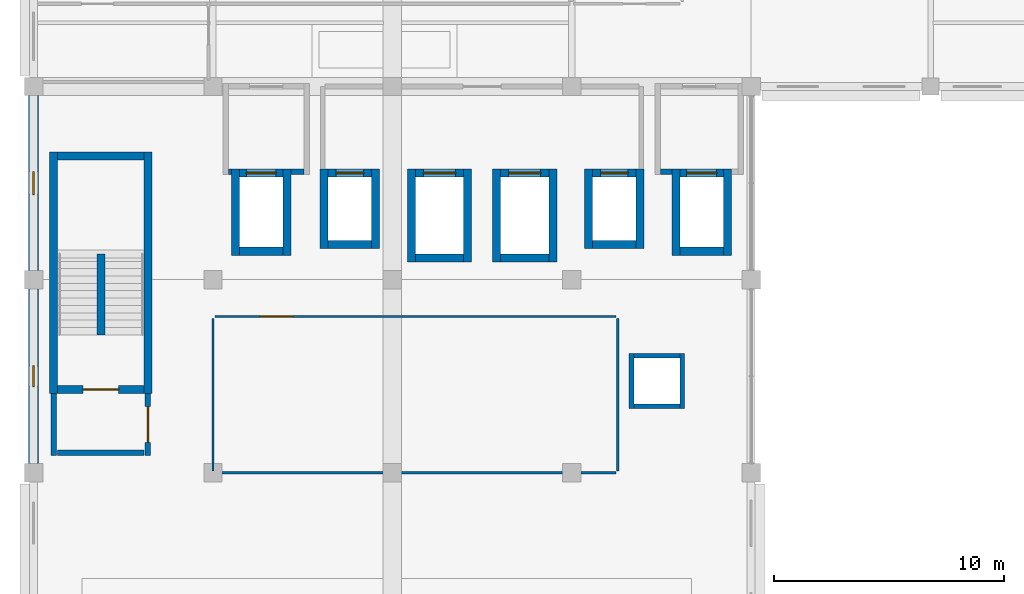
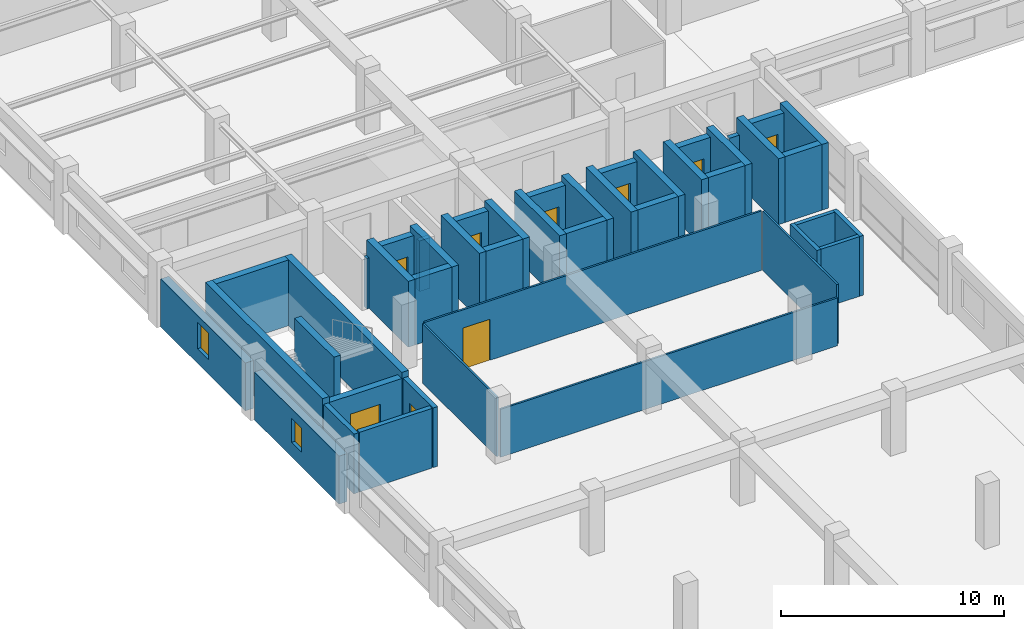
# One storey, part 36 of 50: 45 walls, 9 doors, 2 windows, 11 openings.
"""IFC4 building model written with IfcOpenShell, lengths in metres."""

from ifc_helpers import new_model, si_unit, direction, frame, frame_2d, origin, place, context, subcontext, project, spatial, rectangle, extrude, material, layer, layer_set, type_object, element, fill, save


model = new_model("IFC4")

# Units and contexts
model_context = context("Model", 3, precision=1e-05, world=origin(), true_north=direction((0.0, 1.0)))
body_context = subcontext(model_context, "Body", "Model", "MODEL_VIEW")
ifc_project = project(units=[si_unit("LENGTHUNIT", "METRE"), si_unit("AREAUNIT", "SQUARE_METRE"), si_unit("VOLUMEUNIT", "CUBIC_METRE"), si_unit("PLANEANGLEUNIT", "RADIAN"), si_unit("MASSUNIT", "GRAM", prefix="KILO"), si_unit("THERMODYNAMICTEMPERATUREUNIT", "KELVIN"), si_unit("POWERUNIT", "WATT")], contexts=[model_context])

# Site, building, storey
site_placement = place(None, origin())
site = spatial("IfcSite", under=ifc_project, at=site_placement, CompositionType="ELEMENT")
building_placement = place(site_placement, origin())
building = spatial("IfcBuilding", under=site, at=building_placement, Name="Srebrne Nadtorze General Hospital", CompositionType="ELEMENT")
storey_placement = place(building_placement, frame((0.0, 0.0, 14.39990234375)))
storey = spatial("IfcBuildingStorey", under=building, at=storey_placement, Name="L03", CompositionType="ELEMENT", Elevation=14.39990234375)

# Wall, opening, window
ifc_material_1 = material(Name="Concrete C40/50", Category="concrete")
ifc_layer_1 = layer(ifc_material_1, 0.419921875)
ifc_layer_set_1 = layer_set([ifc_layer_1], Name="Concrete C40/50")
wall_type_1 = type_object("IfcWallType", Name="Acoustic buffer wall 420", PredefinedType="SOLIDWALL", material=ifc_layer_set_1)
wall_1_placement = place(storey_placement, frame((23.39990234375, 34.0, 0.0), z_axis=(0.0, 0.0, 1.0), x_axis=(0.0, 1.0, 0.0)))
wall_1 = element("IfcWall", 1, at=wall_1_placement, inside=storey, type_object=wall_type_1, Name="Exterior wall WL-ENV-L03-0318", PredefinedType="SOLIDWALL", context=body_context, shape_type="SweptSolid", body=[
    extrude(rectangle(XDim=7.60009765625, YDim=0.419921875, at=frame_2d((3.800048828125, 0.0))), origin(), (0.0, 0.0, 1.0), 2.6201171875),
])
opening_1_placement = place(wall_1_placement, frame((3.35009765625, 0.0, 0.800048828125)))
opening_1 = element("IfcOpeningElement", 2, at=opening_1_placement, cuts=wall_1, Name="Opening WN-L03-0455", PredefinedType="OPENING", context=body_context, shape_type="SweptSolid", body=[
    extrude(rectangle(XDim=0.89990234375, YDim=1.300048828125, at=frame_2d((0.449951171875, 0.64990234375))), frame((0.0, 0.221923828125, 0.0), z_axis=(0.0, -1.0, 0.0), x_axis=(1.0, 0.0, 0.0)), (0.0, 0.0, 1.0), 0.44384765625),
])
ifc_material_2 = material(Name="Triple Low-E Glazing", Category="glass")
window_type_1 = type_object("IfcWindowType", Name="Punched clinical window 900x1300", PartitioningType="SINGLE_PANEL", PredefinedType="WINDOW", material=ifc_material_2)
window_1_placement = place(opening_1_placement, origin())
window_1 = element("IfcWindow", 3, at=window_1_placement, inside=storey, type_object=window_type_1, Name="Clinical window WN-L03-0455", OverallHeight=1.300048828125, OverallWidth=0.89990234375, PartitioningType="SINGLE_PANEL", PredefinedType="WINDOW", context=body_context, shape_type="SweptSolid", body=[
    extrude(rectangle(XDim=0.89990234375, YDim=1.300048828125, at=frame_2d((0.449951171875, 0.64990234375))), frame((0.0, 0.030029296875, 0.0), z_axis=(0.0, -1.0, 0.0), x_axis=(1.0, 0.0, 0.0)), (0.0, 0.0, 1.0), 0.06005859375),
])
fill(opening_1, window_1)

wall_2_placement = place(storey_placement, frame((23.39990234375, 42.39990234375, 0.0), z_axis=(0.0, 0.0, 1.0), x_axis=(0.0, 1.0, 0.0)))
wall_2 = element("IfcWall", 4, at=wall_2_placement, inside=storey, type_object=wall_type_1, Name="Exterior wall WL-ENV-L03-0319", PredefinedType="SOLIDWALL", context=body_context, shape_type="SweptSolid", body=[
    extrude(rectangle(XDim=7.60009765625, YDim=0.419921875, at=frame_2d((3.800048828125, 0.0))), origin(), (0.0, 0.0, 1.0), 2.6201171875),
])
opening_2_placement = place(wall_2_placement, frame((3.300048828125, 0.0, 0.800048828125)))
opening_2 = element("IfcOpeningElement", 5, at=opening_2_placement, cuts=wall_2, Name="Opening WN-L03-0456", PredefinedType="OPENING", context=body_context, shape_type="SweptSolid", body=[
    extrude(rectangle(XDim=1.0, YDim=1.449951171875, at=frame_2d((0.5, 0.72509765625))), frame((0.0, 0.221923828125, 0.0), z_axis=(0.0, -1.0, 0.0), x_axis=(1.0, 0.0, 0.0)), (0.0, 0.0, 1.0), 0.44384765625),
])
ifc_material_3 = material(Name="Triple Low-E Glazing", Category="glass")
window_type_2 = type_object("IfcWindowType", Name="Punched clinical window 1000x1450", PartitioningType="SINGLE_PANEL", PredefinedType="WINDOW", material=ifc_material_3)
window_2_placement = place(opening_2_placement, origin())
window_2 = element("IfcWindow", 6, at=window_2_placement, inside=storey, type_object=window_type_2, Name="Clinical window WN-L03-0456", OverallHeight=1.449951171875, OverallWidth=1.0, PartitioningType="SINGLE_PANEL", PredefinedType="WINDOW", context=body_context, shape_type="SweptSolid", body=[
    extrude(rectangle(XDim=1.0, YDim=1.449951171875, at=frame_2d((0.5, 0.72509765625))), frame((0.0, 0.030029296875, 0.0), z_axis=(0.0, -1.0, 0.0), x_axis=(1.0, 0.0, 0.0)), (0.0, 0.0, 1.0), 0.06005859375),
])
fill(opening_2, window_2)

# Walls
ifc_material_4 = material(Name="Gypsum Healthcare Partition")
ifc_layer_2 = layer(ifc_material_4, 0.199951171875)
ifc_layer_set_2 = layer_set([ifc_layer_2], Name="Gypsum Healthcare Partition")
wall_type_2 = type_object("IfcWallType", Name="Compartment wall 200", PredefinedType="STANDARD", material=ifc_layer_set_2)
for number, where, z_axis, x_axis, name in (
    (7, (49.39990234375, 36.39990234375, 0.0), (0.0, 0.0, 1.0), (0.0, 1.0, 0.0), "MEP riser wall WL-INT-L03-1043"),
    (8, (51.60009765625, 36.39990234375, 0.0), (0.0, 0.0, 1.0), (0.0, 1.0, 0.0), "MEP riser wall WL-INT-L03-1044"),
):
    element("IfcWall", number, at=place(storey_placement, frame(where, z_axis=z_axis, x_axis=x_axis)), inside=storey, type_object=wall_type_2, Name=name, PredefinedType="STANDARD", context=body_context, shape_type="SweptSolid", body=[
        extrude(rectangle(XDim=2.400146484375, YDim=0.199951171875, at=frame_2d((1.2001953125, 0.0))), origin(), (0.0, 0.0, 1.0), 3.27001953125),
    ])
for number, where, z_axis, x_axis, name in (
    (9, (49.5, 36.5, 0.0), (0.0, 0.0, 1.0), (1.0, 0.0, 0.0), "MEP riser wall WL-INT-L03-1045"),
    (10, (49.5, 38.699951171875, 0.0), (0.0, 0.0, 1.0), (1.0, 0.0, 0.0), "MEP riser wall WL-INT-L03-1046"),
):
    element("IfcWall", number, at=place(storey_placement, frame(where, z_axis=z_axis, x_axis=x_axis)), inside=storey, type_object=wall_type_2, Name=name, PredefinedType="STANDARD", context=body_context, shape_type="SweptSolid", body=[
        extrude(rectangle(XDim=2.0, YDim=0.199951171875, at=frame_2d((1.0, 0.0))), origin(), (0.0, 0.0, 1.0), 3.27001953125),
    ])
ifc_material_5 = material(Name="Gypsum Healthcare Partition")
ifc_layer_3 = layer(ifc_material_5, 0.239990234375)
ifc_layer_set_3 = layer_set([ifc_layer_3], Name="Gypsum Healthcare Partition")
wall_type_3 = type_object("IfcWallType", Name="Corridor fire wall 240", PredefinedType="STANDARD", material=ifc_layer_set_3)
wall_3_placement = place(storey_placement, frame((24.27490234375, 34.35498046875, 0.0), z_axis=(0.0, 0.0, 1.0), x_axis=(0.0, 1.0, 0.0)))
element("IfcWall", 11, at=wall_3_placement, inside=storey, type_object=wall_type_3, Name="Fire lobby wall ST-01 WL-INT-L03-0245", PredefinedType="STANDARD", context=body_context, shape_type="SweptSolid", body=[
    extrude(rectangle(XDim=2.695068359375, YDim=0.239990234375, at=frame_2d((1.34765625, 0.0))), origin(), (0.0, 0.0, 1.0), 3.27001953125),
])

# Wall, opening, door
wall_4_placement = place(storey_placement, frame((28.375, 34.35498046875, 0.0), z_axis=(0.0, 0.0, 1.0), x_axis=(0.0, 1.0, 0.0)))
wall_4 = element("IfcWall", 12, at=wall_4_placement, inside=storey, type_object=wall_type_3, Name="Fire lobby wall ST-01 WL-INT-L03-0246", PredefinedType="STANDARD", context=body_context, shape_type="SweptSolid", body=[
    extrude(rectangle(XDim=2.695068359375, YDim=0.239990234375, at=frame_2d((1.34765625, 0.0))), origin(), (0.0, 0.0, 1.0), 3.27001953125),
])
opening_3_placement = place(wall_4_placement, frame((0.572509765625, 0.0, 0.0)))
opening_3 = element("IfcOpeningElement", 13, at=opening_3_placement, cuts=wall_4, Name="Opening D-L03-0062", PredefinedType="OPENING", context=body_context, shape_type="SweptSolid", body=[
    extrude(rectangle(XDim=1.550048828125, YDim=2.25, at=frame_2d((0.77490234375, 1.125))), frame((0.0, 0.1318359375, 0.0), z_axis=(0.0, -1.0, 0.0), x_axis=(1.0, 0.0, 0.0)), (0.0, 0.0, 1.0), 0.263916015625),
])
ifc_material_6 = material(Name="Anodised Aluminium", Category="aluminium")
door_type_1 = type_object("IfcDoorType", Name="Double leaf door 1550x2250", OperationType="DOUBLE_DOOR_SINGLE_SWING", PredefinedType="DOOR", material=ifc_material_6)
door_1_placement = place(opening_3_placement, origin())
door_1 = element("IfcDoor", 14, at=door_1_placement, inside=storey, type_object=door_type_1, Name="Fire lobby door ST-01 D-L03-0062", OperationType="DOUBLE_DOOR_SINGLE_SWING", OverallHeight=2.25, OverallWidth=1.550048828125, PredefinedType="DOOR", context=body_context, shape_type="SweptSolid", body=[
    extrude(rectangle(XDim=1.550048828125, YDim=2.25, at=frame_2d((0.77490234375, 1.125))), frame((0.0, 0.02490234375, 0.0), z_axis=(0.0, -1.0, 0.0), x_axis=(1.0, 0.0, 0.0)), (0.0, 0.0, 1.0), 0.050048828125),
])
fill(opening_3, door_1)

# Walls
wall_5_placement = place(storey_placement, frame((24.449951171875, 34.47509765625, 0.0), z_axis=(0.0, 0.0, 1.0), x_axis=(1.0, 0.0, 0.0)))
element("IfcWall", 15, at=wall_5_placement, inside=storey, type_object=wall_type_3, Name="Fire lobby entry wall ST-01 WL-INT-L03-0247", PredefinedType="STANDARD", context=body_context, shape_type="SweptSolid", body=[
    extrude(rectangle(XDim=3.75, YDim=0.239990234375, at=frame_2d((1.875, 0.0))), origin(), (0.0, 0.0, 1.0), 3.27001953125),
])
wall_6_placement = place(storey_placement, frame((31.8798828125, 46.68994140625, 0.0), z_axis=(0.0, 0.0, 1.0), x_axis=(1.0, 0.0, 0.0)))
element("IfcWall", 16, at=wall_6_placement, inside=storey, type_object=wall_type_3, Name="FF lift lobby return wall WL-INT-L03-1024", PredefinedType="STANDARD", context=body_context, shape_type="SweptSolid", body=[
    extrude(rectangle(XDim=0.1201171875, YDim=0.239990234375, at=frame_2d((0.06005859375, 0.0))), origin(), (0.0, 0.0, 1.0), 2.77001953125),
])
wall_7_placement = place(storey_placement, frame((34.60009765625, 46.68994140625, 0.0), z_axis=(0.0, 0.0, 1.0), x_axis=(1.0, 0.0, 0.0)))
element("IfcWall", 17, at=wall_7_placement, inside=storey, type_object=wall_type_3, Name="FF lift lobby return wall WL-INT-L03-1025", PredefinedType="STANDARD", context=body_context, shape_type="SweptSolid", body=[
    extrude(rectangle(XDim=0.5498046875, YDim=0.239990234375, at=frame_2d((0.27490234375, 0.0))), origin(), (0.0, 0.0, 1.0), 2.77001953125),
])
wall_8_placement = place(storey_placement, frame((50.64990234375, 46.68994140625, 0.0), z_axis=(0.0, 0.0, 1.0), x_axis=(1.0, 0.0, 0.0)))
element("IfcWall", 18, at=wall_8_placement, inside=storey, type_object=wall_type_3, Name="FF lift lobby return wall WL-INT-L03-1029", PredefinedType="STANDARD", context=body_context, shape_type="SweptSolid", body=[
    extrude(rectangle(XDim=0.5, YDim=0.239990234375, at=frame_2d((0.25, 0.0))), origin(), (0.0, 0.0, 1.0), 2.77001953125),
])

# Wall, opening, door
ifc_material_7 = material(Name="Gypsum Healthcare Partition")
ifc_layer_4 = layer(ifc_material_7, 0.10009765625)
ifc_layer_set_4 = layer_set([ifc_layer_4], Name="Gypsum Healthcare Partition")
wall_type_4 = type_object("IfcWallType", Name="Shaft lining wall 100", PredefinedType="PARTITIONING", material=ifc_layer_set_4)
wall_9_placement = place(storey_placement, frame((31.284912109375, 40.39990234375, 0.0), z_axis=(0.0, 0.0, 1.0), x_axis=(1.0, 0.0, 0.0)))
wall_9 = element("IfcWall", 19, at=wall_9_placement, inside=storey, type_object=wall_type_4, Name="Clinical Simulation Training Room wall WL-INT-L03-1646", PredefinedType="PARTITIONING", context=body_context, shape_type="SweptSolid", body=[
    extrude(rectangle(XDim=17.43017578125, YDim=0.10009765625, at=frame_2d((8.715087890625, 0.0))), origin(), (0.0, 0.0, 1.0), 3.25),
])
opening_4_placement = place(wall_9_placement, frame((1.9755859375, 0.0, 0.0)))
opening_4 = element("IfcOpeningElement", 20, at=opening_4_placement, cuts=wall_9, Name="Opening D-L03-0278", PredefinedType="OPENING", context=body_context, shape_type="SweptSolid", body=[
    extrude(rectangle(XDim=1.39990234375, YDim=2.25, at=frame_2d((0.699951171875, 1.125))), frame((0.0, 0.06201171875, 0.0), z_axis=(0.0, -1.0, 0.0), x_axis=(1.0, 0.0, 0.0)), (0.0, 0.0, 1.0), 0.1240234375),
])
ifc_material_8 = material(Name="Anodised Aluminium", Category="aluminium")
door_type_2 = type_object("IfcDoorType", Name="Single leaf door 1400x2250", OperationType="NOTDEFINED", PredefinedType="DOOR", material=ifc_material_8)
door_2_placement = place(opening_4_placement, frame((1.39990234375, 0.0, 0.0), z_axis=(0.0, 0.0, 1.0), x_axis=(-1.0, 0.0, 0.0)))
door_2 = element("IfcDoor", 21, at=door_2_placement, inside=storey, type_object=door_type_2, Name="Clinical Simulation Training Room door D-L03-0278", OperationType="SINGLE_SWING_LEFT", OverallHeight=2.25, OverallWidth=1.39990234375, PredefinedType="DOOR", context=body_context, shape_type="SweptSolid", body=[
    extrude(rectangle(XDim=1.39990234375, YDim=2.25, at=frame_2d((0.699951171875, 1.125))), frame((0.0, 0.02490234375, 0.0), z_axis=(0.0, -1.0, 0.0), x_axis=(1.0, 0.0, 0.0)), (0.0, 0.0, 1.0), 0.050048828125),
])
fill(opening_4, door_2)

# Walls
wall_10_placement = place(storey_placement, frame((31.284912109375, 33.60009765625, 0.0), z_axis=(0.0, 0.0, 1.0), x_axis=(1.0, 0.0, 0.0)))
element("IfcWall", 22, at=wall_10_placement, inside=storey, type_object=wall_type_4, Name="Clinical Simulation Training Room wall WL-INT-L03-1647", PredefinedType="PARTITIONING", context=body_context, shape_type="SweptSolid", body=[
    extrude(rectangle(XDim=17.43017578125, YDim=0.10009765625, at=frame_2d((8.715087890625, 0.0))), origin(), (0.0, 0.0, 1.0), 2.6201171875),
])
for number, where, z_axis, x_axis, name in (
    (23, (31.199951171875, 33.68505859375, 0.0), (0.0, 0.0, 1.0), (0.0, 1.0, 0.0), "Clinical Simulation Training Room wall WL-INT-L03-1648"),
    (24, (48.800048828125, 33.68505859375, 0.0), (0.0, 0.0, 1.0), (0.0, 1.0, 0.0), "Clinical Simulation Training Room wall WL-INT-L03-1649"),
):
    element("IfcWall", number, at=place(storey_placement, frame(where, z_axis=z_axis, x_axis=x_axis)), inside=storey, type_object=wall_type_4, Name=name, PredefinedType="PARTITIONING", context=body_context, shape_type="SweptSolid", body=[
        extrude(rectangle(XDim=6.6298828125, YDim=0.10009765625, at=frame_2d((3.31494140625, 0.0))), origin(), (0.0, 0.0, 1.0), 3.25),
    ])
ifc_material_9 = material(Name="Concrete C40/50", Category="concrete")
ifc_layer_5 = layer(ifc_material_9, 0.35009765625)
ifc_layer_set_5 = layer_set([ifc_layer_5], Name="Concrete C40/50")
wall_type_5 = type_object("IfcWallType", Name="Shear core wall 350", PredefinedType="SHEAR", material=ifc_layer_set_5)
for number, where, z_axis, x_axis, name in (
    (25, (24.27490234375, 37.050048828125, 0.0), (0.0, 0.0, 1.0), (0.0, 1.0, 0.0), "Stair core wall ST-01 WL-INT-L03-0241"),
    (26, (28.375, 37.050048828125, 0.0), (0.0, 0.0, 1.0), (0.0, 1.0, 0.0), "Stair core wall ST-01 WL-INT-L03-0242"),
):
    element("IfcWall", number, at=place(storey_placement, frame(where, z_axis=z_axis, x_axis=x_axis)), inside=storey, type_object=wall_type_5, Name=name, PredefinedType="SHEAR", context=body_context, shape_type="SweptSolid", body=[
        extrude(rectangle(XDim=10.5, YDim=0.35009765625, at=frame_2d((5.25, 0.0))), origin(), (0.0, 0.0, 1.0), 3.60009765625),
    ])
wall_11_placement = place(storey_placement, frame((24.449951171875, 47.375, 0.0), z_axis=(0.0, 0.0, 1.0), x_axis=(1.0, 0.0, 0.0)))
element("IfcWall", 27, at=wall_11_placement, inside=storey, type_object=wall_type_5, Name="Stair core wall ST-01 WL-INT-L03-0243", PredefinedType="SHEAR", context=body_context, shape_type="SweptSolid", body=[
    extrude(rectangle(XDim=3.75, YDim=0.35009765625, at=frame_2d((1.875, 0.0))), origin(), (0.0, 0.0, 1.0), 3.60009765625),
])

# Wall, opening, door
wall_12_placement = place(storey_placement, frame((24.449951171875, 37.22509765625, 0.0), z_axis=(0.0, 0.0, 1.0), x_axis=(1.0, 0.0, 0.0)))
wall_12 = element("IfcWall", 28, at=wall_12_placement, inside=storey, type_object=wall_type_5, Name="Stairwell fire wall ST-01 WL-INT-L03-0244", PredefinedType="SHEAR", context=body_context, shape_type="SweptSolid", body=[
    extrude(rectangle(XDim=3.75, YDim=0.35009765625, at=frame_2d((1.875, 0.0))), origin(), (0.0, 0.0, 1.0), 3.27001953125),
])
opening_5_placement = place(wall_12_placement, frame((1.10009765625, 0.0, 0.0)))
opening_5 = element("IfcOpeningElement", 29, at=opening_5_placement, cuts=wall_12, Name="Opening D-L03-0061", PredefinedType="OPENING", context=body_context, shape_type="SweptSolid", body=[
    extrude(rectangle(XDim=1.550048828125, YDim=2.25, at=frame_2d((0.77490234375, 1.125))), frame((0.0, 0.18701171875, 0.0), z_axis=(0.0, -1.0, 0.0), x_axis=(1.0, 0.0, 0.0)), (0.0, 0.0, 1.0), 0.3740234375),
])
door_3_placement = place(opening_5_placement, origin())
door_3 = element("IfcDoor", 30, at=door_3_placement, inside=storey, type_object=door_type_1, Name="Protected stair door ST-01 D-L03-0061", OperationType="DOUBLE_DOOR_SINGLE_SWING", OverallHeight=2.25, OverallWidth=1.550048828125, PredefinedType="DOOR", context=body_context, shape_type="SweptSolid", body=[
    extrude(rectangle(XDim=1.550048828125, YDim=2.25, at=frame_2d((0.77490234375, 1.125))), frame((0.0, 0.02490234375, 0.0), z_axis=(0.0, -1.0, 0.0), x_axis=(1.0, 0.0, 0.0)), (0.0, 0.0, 1.0), 0.050048828125),
])
fill(opening_5, door_3)

# Walls
wall_13_placement = place(storey_placement, frame((26.324951171875, 39.60009765625, 0.0), z_axis=(0.0, 0.0, 1.0), x_axis=(0.0, 1.0, 0.0)))
element("IfcWall", 31, at=wall_13_placement, inside=storey, type_object=wall_type_5, Name="Stair spine wall ST-01 WL-INT-L03-0248", PredefinedType="SHEAR", context=body_context, shape_type="SweptSolid", body=[
    extrude(rectangle(XDim=3.52001953125, YDim=0.35009765625, at=frame_2d((1.760009765625, 0.0))), origin(), (0.0, 0.0, 1.0), 3.60009765625),
])
for number, where, z_axis, x_axis, name in (
    (32, (32.175048828125, 43.06005859375, 0.0), (0.0, 0.0, 1.0), (0.0, 1.0, 0.0), "Lift shaft wall FL-01 WL-INT-L03-0482"),
    (33, (34.425048828125, 43.06005859375, 0.0), (0.0, 0.0, 1.0), (0.0, 1.0, 0.0), "Lift shaft wall FL-01 WL-INT-L03-0483"),
):
    element("IfcWall", number, at=place(storey_placement, frame(where, z_axis=z_axis, x_axis=x_axis)), inside=storey, type_object=wall_type_5, Name=name, PredefinedType="SHEAR", context=body_context, shape_type="SweptSolid", body=[
        extrude(rectangle(XDim=3.75, YDim=0.35009765625, at=frame_2d((1.875, 0.0))), origin(), (0.0, 0.0, 1.0), 3.60009765625),
    ])
wall_14_placement = place(storey_placement, frame((32.35009765625, 43.235107421875, 0.0), z_axis=(0.0, 0.0, 1.0), x_axis=(1.0, 0.0, 0.0)))
element("IfcWall", 34, at=wall_14_placement, inside=storey, type_object=wall_type_5, Name="Lift shaft back wall FL-01 WL-INT-L03-0484", PredefinedType="SHEAR", context=body_context, shape_type="SweptSolid", body=[
    extrude(rectangle(XDim=1.89990234375, YDim=0.35009765625, at=frame_2d((0.949951171875, 0.0))), origin(), (0.0, 0.0, 1.0), 3.60009765625),
])

# Wall, opening, door
wall_15_placement = place(storey_placement, frame((32.35009765625, 46.635009765625, 0.0), z_axis=(0.0, 0.0, 1.0), x_axis=(1.0, 0.0, 0.0)))
wall_15 = element("IfcWall", 35, at=wall_15_placement, inside=storey, type_object=wall_type_5, Name="Lift shaft front wall FL-01 WL-INT-L03-0485", PredefinedType="SHEAR", context=body_context, shape_type="SweptSolid", body=[
    extrude(rectangle(XDim=1.89990234375, YDim=0.35009765625, at=frame_2d((0.949951171875, 0.0))), origin(), (0.0, 0.0, 1.0), 3.27001953125),
])
opening_6_placement = place(wall_15_placement, frame((0.300048828125, 0.0, 0.0)))
opening_6 = element("IfcOpeningElement", 36, at=opening_6_placement, cuts=wall_15, Name="Opening LD-L03-005", PredefinedType="OPENING", context=body_context, shape_type="SweptSolid", body=[
    extrude(rectangle(XDim=1.300048828125, YDim=2.199951171875, at=frame_2d((0.64990234375, 1.10009765625))), frame((0.0, 0.18701171875, 0.0), z_axis=(0.0, -1.0, 0.0), x_axis=(1.0, 0.0, 0.0)), (0.0, 0.0, 1.0), 0.3740234375),
])
ifc_material_10 = material(Name="Anodised Aluminium", Category="aluminium")
door_type_3 = type_object("IfcDoorType", Name="Sliding lift door 1300x2200", OperationType="SLIDING_TO_LEFT", PredefinedType="DOOR", material=ifc_material_10)
door_4_placement = place(opening_6_placement, origin())
door_4 = element("IfcDoor", 37, at=door_4_placement, inside=storey, type_object=door_type_3, Name="Lift Landing Door LD-L03-005", OperationType="SLIDING_TO_LEFT", OverallHeight=2.199951171875, OverallWidth=1.300048828125, PredefinedType="DOOR", context=body_context, shape_type="SweptSolid", body=[
    extrude(rectangle(XDim=1.300048828125, YDim=2.199951171875, at=frame_2d((0.64990234375, 1.10009765625))), frame((0.0, 0.02490234375, 0.0), z_axis=(0.0, -1.0, 0.0), x_axis=(1.0, 0.0, 0.0)), (0.0, 0.0, 1.0), 0.050048828125),
])
fill(opening_6, door_4)

# Walls
for number, where, z_axis, x_axis, name in (
    (38, (36.02490234375, 43.360107421875, 0.0), (0.0, 0.0, 1.0), (0.0, 1.0, 0.0), "Lift shaft wall LP-01 WL-INT-L03-0522"),
    (39, (38.27490234375, 43.360107421875, 0.0), (0.0, 0.0, 1.0), (0.0, 1.0, 0.0), "Lift shaft wall LP-01 WL-INT-L03-0523"),
):
    element("IfcWall", number, at=place(storey_placement, frame(where, z_axis=z_axis, x_axis=x_axis)), inside=storey, type_object=wall_type_5, Name=name, PredefinedType="SHEAR", context=body_context, shape_type="SweptSolid", body=[
        extrude(rectangle(XDim=3.449951171875, YDim=0.35009765625, at=frame_2d((1.72509765625, 0.0))), origin(), (0.0, 0.0, 1.0), 3.60009765625),
    ])
wall_16_placement = place(storey_placement, frame((36.199951171875, 43.534912109375, 0.0), z_axis=(0.0, 0.0, 1.0), x_axis=(1.0, 0.0, 0.0)))
element("IfcWall", 40, at=wall_16_placement, inside=storey, type_object=wall_type_5, Name="Lift shaft back wall LP-01 WL-INT-L03-0524", PredefinedType="SHEAR", context=body_context, shape_type="SweptSolid", body=[
    extrude(rectangle(XDim=1.900146484375, YDim=0.35009765625, at=frame_2d((0.9501953125, 0.0))), origin(), (0.0, 0.0, 1.0), 3.60009765625),
])

# Wall, opening, door
wall_17_placement = place(storey_placement, frame((36.199951171875, 46.635009765625, 0.0), z_axis=(0.0, 0.0, 1.0), x_axis=(1.0, 0.0, 0.0)))
wall_17 = element("IfcWall", 41, at=wall_17_placement, inside=storey, type_object=wall_type_5, Name="Lift shaft front wall LP-01 WL-INT-L03-0525", PredefinedType="SHEAR", context=body_context, shape_type="SweptSolid", body=[
    extrude(rectangle(XDim=1.900146484375, YDim=0.35009765625, at=frame_2d((0.9501953125, 0.0))), origin(), (0.0, 0.0, 1.0), 3.27001953125),
])
opening_7_placement = place(wall_17_placement, frame((0.35009765625, 0.0, 0.0)))
opening_7 = element("IfcOpeningElement", 42, at=opening_7_placement, cuts=wall_17, Name="Opening LD-L03-015", PredefinedType="OPENING", context=body_context, shape_type="SweptSolid", body=[
    extrude(rectangle(XDim=1.199951171875, YDim=2.199951171875, at=frame_2d((0.60009765625, 1.10009765625))), frame((0.0, 0.18701171875, 0.0), z_axis=(0.0, -1.0, 0.0), x_axis=(1.0, 0.0, 0.0)), (0.0, 0.0, 1.0), 0.3740234375),
])
ifc_material_11 = material(Name="Anodised Aluminium", Category="aluminium")
door_type_4 = type_object("IfcDoorType", Name="Sliding lift door 1200x2200", OperationType="SLIDING_TO_LEFT", PredefinedType="DOOR", material=ifc_material_11)
door_5_placement = place(opening_7_placement, origin())
door_5 = element("IfcDoor", 43, at=door_5_placement, inside=storey, type_object=door_type_4, Name="Lift Landing Door LD-L03-015", OperationType="SLIDING_TO_LEFT", OverallHeight=2.199951171875, OverallWidth=1.199951171875, PredefinedType="DOOR", context=body_context, shape_type="SweptSolid", body=[
    extrude(rectangle(XDim=1.199951171875, YDim=2.199951171875, at=frame_2d((0.60009765625, 1.10009765625))), frame((0.0, 0.02490234375, 0.0), z_axis=(0.0, -1.0, 0.0), x_axis=(1.0, 0.0, 0.0)), (0.0, 0.0, 1.0), 0.050048828125),
])
fill(opening_7, door_5)

# Walls
for number, where, z_axis, x_axis, name in (
    (44, (39.824951171875, 42.760009765625, 0.0), (0.0, 0.0, 1.0), (0.0, 1.0, 0.0), "Lift shaft wall LS-01 WL-INT-L03-0558"),
    (45, (42.27490234375, 42.760009765625, 0.0), (0.0, 0.0, 1.0), (0.0, 1.0, 0.0), "Lift shaft wall LS-01 WL-INT-L03-0559"),
):
    element("IfcWall", number, at=place(storey_placement, frame(where, z_axis=z_axis, x_axis=x_axis)), inside=storey, type_object=wall_type_5, Name=name, PredefinedType="SHEAR", context=body_context, shape_type="SweptSolid", body=[
        extrude(rectangle(XDim=4.050048828125, YDim=0.35009765625, at=frame_2d((2.02490234375, 0.0))), origin(), (0.0, 0.0, 1.0), 3.60009765625),
    ])
wall_18_placement = place(storey_placement, frame((40.0, 42.93505859375, 0.0), z_axis=(0.0, 0.0, 1.0), x_axis=(1.0, 0.0, 0.0)))
element("IfcWall", 46, at=wall_18_placement, inside=storey, type_object=wall_type_5, Name="Lift shaft back wall LS-01 WL-INT-L03-0560", PredefinedType="SHEAR", context=body_context, shape_type="SweptSolid", body=[
    extrude(rectangle(XDim=2.10009765625, YDim=0.35009765625, at=frame_2d((1.050048828125, 0.0))), origin(), (0.0, 0.0, 1.0), 3.60009765625),
])

# Wall, opening, door
wall_19_placement = place(storey_placement, frame((40.0, 46.635009765625, 0.0), z_axis=(0.0, 0.0, 1.0), x_axis=(1.0, 0.0, 0.0)))
wall_19 = element("IfcWall", 47, at=wall_19_placement, inside=storey, type_object=wall_type_5, Name="Lift shaft front wall LS-01 WL-INT-L03-0561", PredefinedType="SHEAR", context=body_context, shape_type="SweptSolid", body=[
    extrude(rectangle(XDim=2.10009765625, YDim=0.35009765625, at=frame_2d((1.050048828125, 0.0))), origin(), (0.0, 0.0, 1.0), 3.27001953125),
])
opening_8_placement = place(wall_19_placement, frame((0.35009765625, 0.0, 0.0)))
opening_8 = element("IfcOpeningElement", 48, at=opening_8_placement, cuts=wall_19, Name="Opening LD-L03-024", PredefinedType="OPENING", context=body_context, shape_type="SweptSolid", body=[
    extrude(rectangle(XDim=1.39990234375, YDim=2.199951171875, at=frame_2d((0.699951171875, 1.10009765625))), frame((0.0, 0.18701171875, 0.0), z_axis=(0.0, -1.0, 0.0), x_axis=(1.0, 0.0, 0.0)), (0.0, 0.0, 1.0), 0.3740234375),
])
ifc_material_12 = material(Name="Anodised Aluminium", Category="aluminium")
door_type_5 = type_object("IfcDoorType", Name="Sliding lift door 1400x2200", OperationType="SLIDING_TO_LEFT", PredefinedType="DOOR", material=ifc_material_12)
door_6_placement = place(opening_8_placement, origin())
door_6 = element("IfcDoor", 49, at=door_6_placement, inside=storey, type_object=door_type_5, Name="Lift Landing Door LD-L03-024", OperationType="SLIDING_TO_LEFT", OverallHeight=2.199951171875, OverallWidth=1.39990234375, PredefinedType="DOOR", context=body_context, shape_type="SweptSolid", body=[
    extrude(rectangle(XDim=1.39990234375, YDim=2.199951171875, at=frame_2d((0.699951171875, 1.10009765625))), frame((0.0, 0.02490234375, 0.0), z_axis=(0.0, -1.0, 0.0), x_axis=(1.0, 0.0, 0.0)), (0.0, 0.0, 1.0), 0.050048828125),
])
fill(opening_8, door_6)

# Walls
for number, where, z_axis, x_axis, name in (
    (50, (43.52490234375, 42.760009765625, 0.0), (0.0, 0.0, 1.0), (0.0, 1.0, 0.0), "Lift shaft wall LS-02 WL-INT-L03-0598"),
    (51, (45.97509765625, 42.760009765625, 0.0), (0.0, 0.0, 1.0), (0.0, 1.0, 0.0), "Lift shaft wall LS-02 WL-INT-L03-0599"),
):
    element("IfcWall", number, at=place(storey_placement, frame(where, z_axis=z_axis, x_axis=x_axis)), inside=storey, type_object=wall_type_5, Name=name, PredefinedType="SHEAR", context=body_context, shape_type="SweptSolid", body=[
        extrude(rectangle(XDim=4.050048828125, YDim=0.35009765625, at=frame_2d((2.02490234375, 0.0))), origin(), (0.0, 0.0, 1.0), 3.60009765625),
    ])
wall_20_placement = place(storey_placement, frame((43.699951171875, 42.93505859375, 0.0), z_axis=(0.0, 0.0, 1.0), x_axis=(1.0, 0.0, 0.0)))
element("IfcWall", 52, at=wall_20_placement, inside=storey, type_object=wall_type_5, Name="Lift shaft back wall LS-02 WL-INT-L03-0600", PredefinedType="SHEAR", context=body_context, shape_type="SweptSolid", body=[
    extrude(rectangle(XDim=2.10009765625, YDim=0.35009765625, at=frame_2d((1.050048828125, 0.0))), origin(), (0.0, 0.0, 1.0), 3.60009765625),
])

# Wall, opening, door
wall_21_placement = place(storey_placement, frame((43.699951171875, 46.635009765625, 0.0), z_axis=(0.0, 0.0, 1.0), x_axis=(1.0, 0.0, 0.0)))
wall_21 = element("IfcWall", 53, at=wall_21_placement, inside=storey, type_object=wall_type_5, Name="Lift shaft front wall LS-02 WL-INT-L03-0601", PredefinedType="SHEAR", context=body_context, shape_type="SweptSolid", body=[
    extrude(rectangle(XDim=2.10009765625, YDim=0.35009765625, at=frame_2d((1.050048828125, 0.0))), origin(), (0.0, 0.0, 1.0), 3.27001953125),
])
opening_9_placement = place(wall_21_placement, frame((0.35009765625, 0.0, 0.0)))
opening_9 = element("IfcOpeningElement", 54, at=opening_9_placement, cuts=wall_21, Name="Opening LD-L03-034", PredefinedType="OPENING", context=body_context, shape_type="SweptSolid", body=[
    extrude(rectangle(XDim=1.39990234375, YDim=2.199951171875, at=frame_2d((0.699951171875, 1.10009765625))), frame((0.0, 0.18701171875, 0.0), z_axis=(0.0, -1.0, 0.0), x_axis=(1.0, 0.0, 0.0)), (0.0, 0.0, 1.0), 0.3740234375),
])
door_7_placement = place(opening_9_placement, origin())
door_7 = element("IfcDoor", 55, at=door_7_placement, inside=storey, type_object=door_type_5, Name="Lift Landing Door LD-L03-034", OperationType="SLIDING_TO_LEFT", OverallHeight=2.199951171875, OverallWidth=1.39990234375, PredefinedType="DOOR", context=body_context, shape_type="SweptSolid", body=[
    extrude(rectangle(XDim=1.39990234375, YDim=2.199951171875, at=frame_2d((0.699951171875, 1.10009765625))), frame((0.0, 0.02490234375, 0.0), z_axis=(0.0, -1.0, 0.0), x_axis=(1.0, 0.0, 0.0)), (0.0, 0.0, 1.0), 0.050048828125),
])
fill(opening_9, door_7)

# Walls
for number, where, z_axis, x_axis, name in (
    (56, (47.52490234375, 43.360107421875, 0.0), (0.0, 0.0, 1.0), (0.0, 1.0, 0.0), "Lift shaft wall LP-02 WL-INT-L03-0638"),
    (57, (49.77490234375, 43.360107421875, 0.0), (0.0, 0.0, 1.0), (0.0, 1.0, 0.0), "Lift shaft wall LP-02 WL-INT-L03-0639"),
):
    element("IfcWall", number, at=place(storey_placement, frame(where, z_axis=z_axis, x_axis=x_axis)), inside=storey, type_object=wall_type_5, Name=name, PredefinedType="SHEAR", context=body_context, shape_type="SweptSolid", body=[
        extrude(rectangle(XDim=3.449951171875, YDim=0.35009765625, at=frame_2d((1.72509765625, 0.0))), origin(), (0.0, 0.0, 1.0), 3.60009765625),
    ])
wall_22_placement = place(storey_placement, frame((47.699951171875, 43.534912109375, 0.0), z_axis=(0.0, 0.0, 1.0), x_axis=(1.0, 0.0, 0.0)))
element("IfcWall", 58, at=wall_22_placement, inside=storey, type_object=wall_type_5, Name="Lift shaft back wall LP-02 WL-INT-L03-0640", PredefinedType="SHEAR", context=body_context, shape_type="SweptSolid", body=[
    extrude(rectangle(XDim=1.900146484375, YDim=0.35009765625, at=frame_2d((0.9501953125, 0.0))), origin(), (0.0, 0.0, 1.0), 3.60009765625),
])

# Wall, opening, door
wall_23_placement = place(storey_placement, frame((47.699951171875, 46.635009765625, 0.0), z_axis=(0.0, 0.0, 1.0), x_axis=(1.0, 0.0, 0.0)))
wall_23 = element("IfcWall", 59, at=wall_23_placement, inside=storey, type_object=wall_type_5, Name="Lift shaft front wall LP-02 WL-INT-L03-0641", PredefinedType="SHEAR", context=body_context, shape_type="SweptSolid", body=[
    extrude(rectangle(XDim=1.900146484375, YDim=0.35009765625, at=frame_2d((0.9501953125, 0.0))), origin(), (0.0, 0.0, 1.0), 3.27001953125),
])
opening_10_placement = place(wall_23_placement, frame((0.35009765625, 0.0, 0.0)))
opening_10 = element("IfcOpeningElement", 60, at=opening_10_placement, cuts=wall_23, Name="Opening LD-L03-044", PredefinedType="OPENING", context=body_context, shape_type="SweptSolid", body=[
    extrude(rectangle(XDim=1.199951171875, YDim=2.199951171875, at=frame_2d((0.60009765625, 1.10009765625))), frame((0.0, 0.18701171875, 0.0), z_axis=(0.0, -1.0, 0.0), x_axis=(1.0, 0.0, 0.0)), (0.0, 0.0, 1.0), 0.3740234375),
])
door_8_placement = place(opening_10_placement, origin())
door_8 = element("IfcDoor", 61, at=door_8_placement, inside=storey, type_object=door_type_4, Name="Lift Landing Door LD-L03-044", OperationType="SLIDING_TO_LEFT", OverallHeight=2.199951171875, OverallWidth=1.199951171875, PredefinedType="DOOR", context=body_context, shape_type="SweptSolid", body=[
    extrude(rectangle(XDim=1.199951171875, YDim=2.199951171875, at=frame_2d((0.60009765625, 1.10009765625))), frame((0.0, 0.02490234375, 0.0), z_axis=(0.0, -1.0, 0.0), x_axis=(1.0, 0.0, 0.0)), (0.0, 0.0, 1.0), 0.050048828125),
])
fill(opening_10, door_8)

# Walls
for number, where, z_axis, x_axis, name in (
    (62, (51.324951171875, 43.06005859375, 0.0), (0.0, 0.0, 1.0), (0.0, 1.0, 0.0), "Lift shaft wall FL-02 WL-INT-L03-0674"),
    (63, (53.574951171875, 43.06005859375, 0.0), (0.0, 0.0, 1.0), (0.0, 1.0, 0.0), "Lift shaft wall FL-02 WL-INT-L03-0675"),
):
    element("IfcWall", number, at=place(storey_placement, frame(where, z_axis=z_axis, x_axis=x_axis)), inside=storey, type_object=wall_type_5, Name=name, PredefinedType="SHEAR", context=body_context, shape_type="SweptSolid", body=[
        extrude(rectangle(XDim=3.75, YDim=0.35009765625, at=frame_2d((1.875, 0.0))), origin(), (0.0, 0.0, 1.0), 3.60009765625),
    ])
wall_24_placement = place(storey_placement, frame((51.5, 43.235107421875, 0.0), z_axis=(0.0, 0.0, 1.0), x_axis=(1.0, 0.0, 0.0)))
element("IfcWall", 64, at=wall_24_placement, inside=storey, type_object=wall_type_5, Name="Lift shaft back wall FL-02 WL-INT-L03-0676", PredefinedType="SHEAR", context=body_context, shape_type="SweptSolid", body=[
    extrude(rectangle(XDim=1.89990234375, YDim=0.35009765625, at=frame_2d((0.949951171875, 0.0))), origin(), (0.0, 0.0, 1.0), 3.60009765625),
])

# Wall, opening, door
wall_25_placement = place(storey_placement, frame((51.5, 46.635009765625, 0.0), z_axis=(0.0, 0.0, 1.0), x_axis=(1.0, 0.0, 0.0)))
wall_25 = element("IfcWall", 65, at=wall_25_placement, inside=storey, type_object=wall_type_5, Name="Lift shaft front wall FL-02 WL-INT-L03-0677", PredefinedType="SHEAR", context=body_context, shape_type="SweptSolid", body=[
    extrude(rectangle(XDim=1.89990234375, YDim=0.35009765625, at=frame_2d((0.949951171875, 0.0))), origin(), (0.0, 0.0, 1.0), 3.27001953125),
])
opening_11_placement = place(wall_25_placement, frame((0.300048828125, 0.0, 0.0)))
opening_11 = element("IfcOpeningElement", 66, at=opening_11_placement, cuts=wall_25, Name="Opening LD-L03-053", PredefinedType="OPENING", context=body_context, shape_type="SweptSolid", body=[
    extrude(rectangle(XDim=1.300048828125, YDim=2.199951171875, at=frame_2d((0.64990234375, 1.10009765625))), frame((0.0, 0.18701171875, 0.0), z_axis=(0.0, -1.0, 0.0), x_axis=(1.0, 0.0, 0.0)), (0.0, 0.0, 1.0), 0.3740234375),
])
door_9_placement = place(opening_11_placement, origin())
door_9 = element("IfcDoor", 67, at=door_9_placement, inside=storey, type_object=door_type_3, Name="Lift Landing Door LD-L03-053", OperationType="SLIDING_TO_LEFT", OverallHeight=2.199951171875, OverallWidth=1.300048828125, PredefinedType="DOOR", context=body_context, shape_type="SweptSolid", body=[
    extrude(rectangle(XDim=1.300048828125, YDim=2.199951171875, at=frame_2d((0.64990234375, 1.10009765625))), frame((0.0, 0.02490234375, 0.0), z_axis=(0.0, -1.0, 0.0), x_axis=(1.0, 0.0, 0.0)), (0.0, 0.0, 1.0), 0.050048828125),
])
fill(opening_11, door_9)

save(model, "model.ifc")
